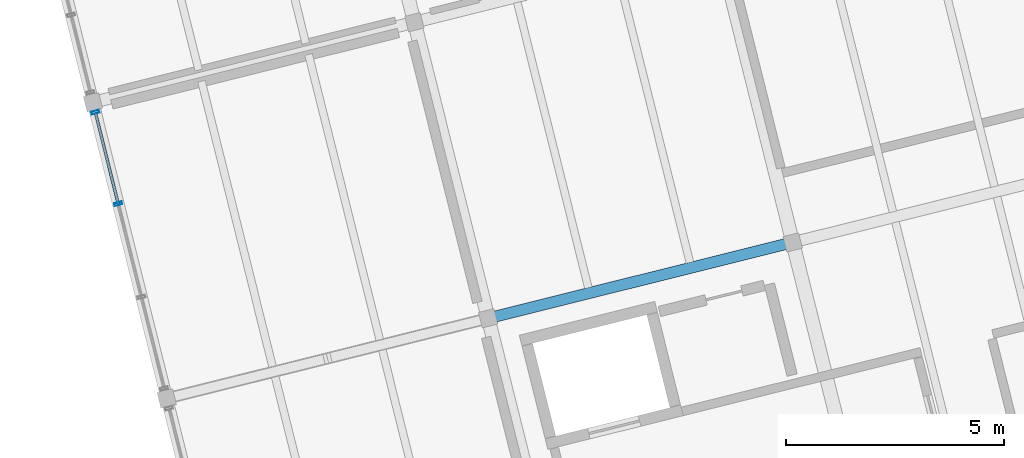
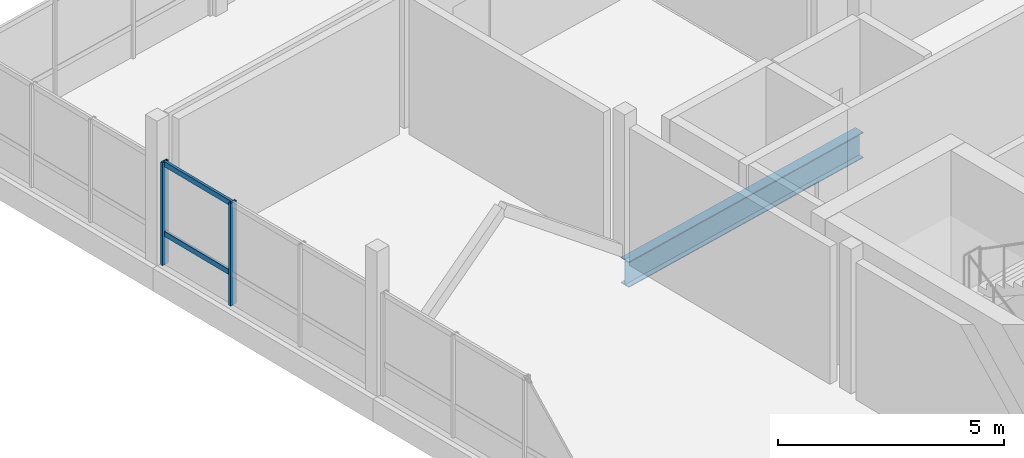
# One storey, part 8 of 26: 4 members, 1 beam, 1 element without a shape of its own.
"""IFC4 building model written with IfcOpenShell, lengths in metres."""

from ifc_helpers import new_model, si_unit, direction, frame, origin, origin_2d, place, context, subcontext, project, spatial, hollow_rectangle, i_section, extrude, material, layer, layer_set, material_profile, profile_set, type_object, element, aggregate, save


model = new_model("IFC4")

# Units and contexts
model_context = context("Model", 3, precision=1e-05, world=origin(), true_north=direction((0.0, 1.0)))
body_context = subcontext(model_context, "Body", "Model", "MODEL_VIEW")
ifc_project = project(units=[si_unit("LENGTHUNIT", "METRE"), si_unit("AREAUNIT", "SQUARE_METRE"), si_unit("VOLUMEUNIT", "CUBIC_METRE"), si_unit("PLANEANGLEUNIT", "RADIAN"), si_unit("MASSUNIT", "GRAM", prefix="KILO")], contexts=[model_context])

# Site, building, storey
site_placement = place(None, origin())
site = spatial("IfcSite", under=ifc_project, at=site_placement, CompositionType="ELEMENT")
building_placement = place(site_placement, origin())
building = spatial("IfcBuilding", under=site, at=building_placement, Name="Meriwether Solvik Hall", CompositionType="ELEMENT")
storey_placement = place(building_placement, frame((0.0, 0.0, 41.699951171875)))
storey = spatial("IfcBuildingStorey", under=building, at=storey_placement, Name="L10", CompositionType="ELEMENT", Elevation=41.699951171875)

# Beam
ifc_material_1 = material(Name="Steel A992 Grade 50", Category="steel")
ifc_material_profile_1 = material_profile(ifc_material_1, i_section(OverallWidth=0.256103515625, OverallDepth=0.693115234375, WebThickness=0.014404296875, FlangeThickness=0.023681640625, at=origin_2d()), Name="W27X114")
ifc_profile_set_1 = profile_set([ifc_material_profile_1], Name="Steel A992 Grade 50")
beam_type = type_object("IfcBeamType", Name="BM-STL-W27X114", PredefinedType="BEAM", material=ifc_profile_set_1)
beam_placement = place(storey_placement, frame((70.893798828125, 63.414794921875, -0.5263671875), z_axis=(0.970293896644, 0.241929233735, 0.0), x_axis=(-0.241929233735, 0.970293896644, 0.0)))
element("IfcBeam", 1, at=beam_placement, inside=storey, type_object=beam_type, Name="Tower Girder TD:T2-T3 (L10)", PredefinedType="BEAM", context=body_context, shape_type="SweptSolid", body=[
    extrude(i_section(OverallWidth=0.256103515625, OverallDepth=0.693115234375, WebThickness=0.014404296875, FlangeThickness=0.023681640625, at=origin_2d()), origin(), (0.0, 0.0, 1.0), 7.2001953125),
])

# Curtain wall, members
ifc_material_2 = material(Name="Thermally Broken Anodised Aluminium 6063-T6 and Low-E Glass", Category="aluminium")
ifc_layer = layer(ifc_material_2, 0.179931640625)
ifc_layer_set = layer_set([ifc_layer], Name="Thermally Broken Anodised Aluminium 6063-T6 and Low-E Glass")
curtain_wall_type = type_object("IfcCurtainWallType", Name="CW-UNIT-D", PredefinedType="USERDEFINED", material=ifc_layer_set)
curtain_wall_placement = place(storey_placement, origin())
curtain_wall = element("IfcCurtainWall", 2, at=curtain_wall_placement, inside=storey, type_object=curtain_wall_type, Name="Curtain Wall E7_B3 (L10)", ObjectType="UNITISED CURTAIN WALL", PredefinedType="USERDEFINED")
ifc_material_3 = material(Name="Anodised Aluminium 6063-T6", Category="aluminium")
ifc_material_profile_2 = material_profile(ifc_material_3, hollow_rectangle(XDim=0.06494140625, YDim=0.179931640625, WallThickness=0.00439453125, at=origin_2d()), Name="CWM-65X180")
ifc_profile_set_2 = profile_set([ifc_material_profile_2], Name="Anodised Aluminium 6063-T6")
member_type_1 = type_object("IfcMemberType", Name="CW-MUL-65X180", PredefinedType="MULLION", material=ifc_profile_set_2)
member_1_placement = place(storey_placement, frame((62.40625, 66.041259765625, 0.0), z_axis=(0.0, 0.0, 1.0), x_axis=(-0.241921804422, 0.970295749009, 0.0)))
member_1 = element("IfcMember", 3, at=member_1_placement, type_object=member_type_1, Name="Curtain Wall Mullion 3", PredefinedType="MULLION", context=body_context, shape_type="SweptSolid", body=[
    extrude(hollow_rectangle(XDim=0.06494140625, YDim=0.179931640625, WallThickness=0.00439453125, at=origin_2d()), origin(), (0.0, 0.0, 1.0), 2.77001953125),
])
member_2_placement = place(storey_placement, frame((61.88232421875, 68.142578125, 0.0), z_axis=(0.0, 0.0, 1.0), x_axis=(-0.241921804422, 0.970295749009, 0.0)))
member_2 = element("IfcMember", 4, at=member_2_placement, type_object=member_type_1, Name="Curtain Wall Mullion 4", PredefinedType="MULLION", context=body_context, shape_type="SweptSolid", body=[
    extrude(hollow_rectangle(XDim=0.06494140625, YDim=0.179931640625, WallThickness=0.00439453125, at=origin_2d()), origin(), (0.0, 0.0, 1.0), 2.77001953125),
])
ifc_material_4 = material(Name="Anodised Aluminium 6063-T6", Category="aluminium")
ifc_material_profile_3 = material_profile(ifc_material_4, hollow_rectangle(XDim=0.06494140625, YDim=0.139892578125, WallThickness=0.00439453125, at=origin_2d()), Name="CWT-65X140")
ifc_profile_set_3 = profile_set([ifc_material_profile_3], Name="Anodised Aluminium 6063-T6")
member_type_2 = type_object("IfcMemberType", Name="CW-TRN-65X140", PredefinedType="USERDEFINED", material=ifc_profile_set_3)
member_3_placement = place(storey_placement, frame((62.40625, 66.041259765625, 0.8310546875), z_axis=(-0.241925491414, 0.970294829732, 0.0), x_axis=(-0.970294829732, -0.241925491414, 0.0)))
member_3 = element("IfcMember", 5, at=member_3_placement, type_object=member_type_2, Name="Curtain Wall Transom 3-sill", ObjectType="TRANSOM", PredefinedType="USERDEFINED", context=body_context, shape_type="SweptSolid", body=[
    extrude(hollow_rectangle(XDim=0.06494140625, YDim=0.139892578125, WallThickness=0.00439453125, at=origin_2d()), origin(), (0.0, 0.0, 1.0), 2.16552734375),
])
member_4_placement = place(storey_placement, frame((62.40625, 66.041259765625, 2.7099609375), z_axis=(-0.241925491414, 0.970294829732, 0.0), x_axis=(-0.970294829732, -0.241925491414, 0.0)))
member_4 = element("IfcMember", 6, at=member_4_placement, type_object=member_type_2, Name="Curtain Wall Transom 3-head", ObjectType="TRANSOM", PredefinedType="USERDEFINED", context=body_context, shape_type="SweptSolid", body=[
    extrude(hollow_rectangle(XDim=0.06494140625, YDim=0.139892578125, WallThickness=0.00439453125, at=origin_2d()), origin(), (0.0, 0.0, 1.0), 2.16552734375),
])
aggregate(curtain_wall, [member_1, member_2, member_3, member_4])

save(model, "model.ifc")
